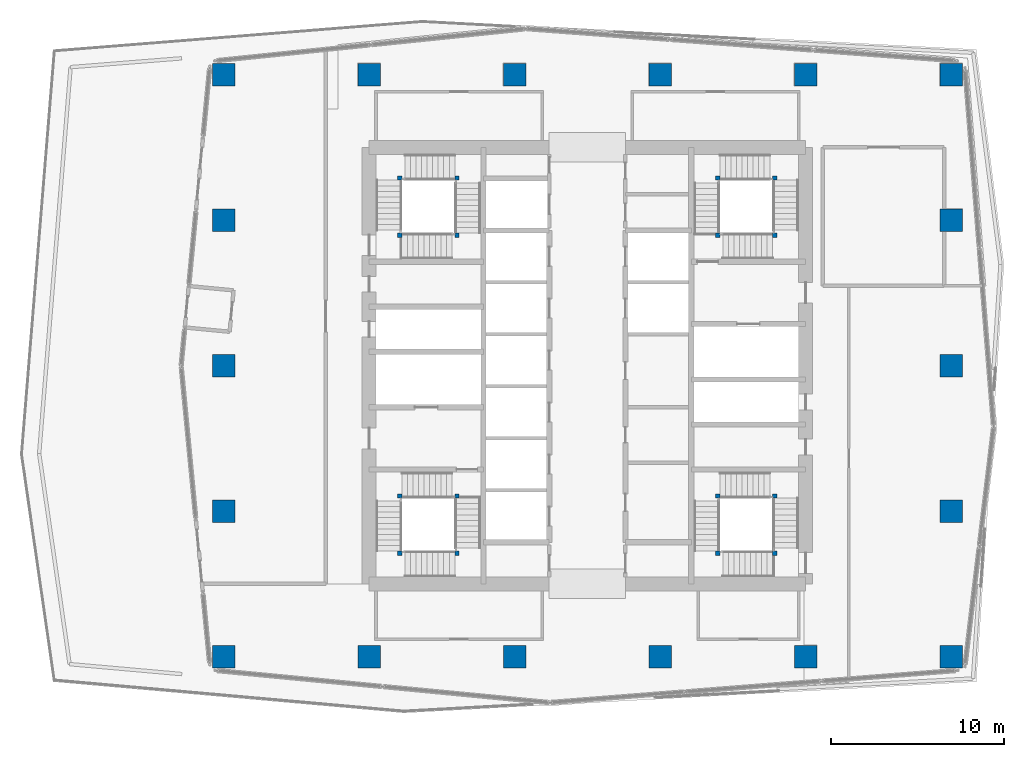
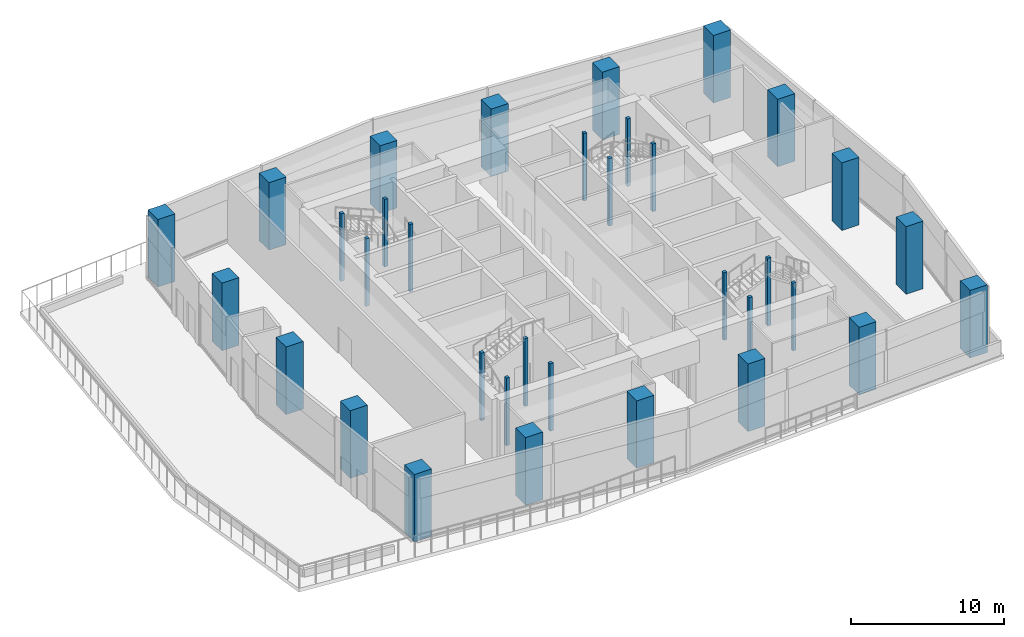
# One storey, part 1 of 22: 34 columns.
"""IFC4 building model written with IfcOpenShell, lengths in metres."""

from ifc_helpers import new_model, si_unit, direction, frame, origin, origin_2d, place, context, subcontext, project, spatial, rectangle, extrude, material, material_profile, profile_set, type_object, element, save


model = new_model("IFC4")

# Units and contexts
model_context = context("Model", 3, precision=1e-05, world=origin(), true_north=direction((0.0, 1.0)))
body_context = subcontext(model_context, "Body", "Model", "MODEL_VIEW")
ifc_project = project(units=[si_unit("LENGTHUNIT", "METRE"), si_unit("AREAUNIT", "SQUARE_METRE"), si_unit("VOLUMEUNIT", "CUBIC_METRE"), si_unit("PLANEANGLEUNIT", "RADIAN"), si_unit("MASSUNIT", "GRAM", prefix="KILO")], contexts=[model_context])

# Site, building, storey
site_placement = place(None, origin())
site = spatial("IfcSite", under=ifc_project, at=site_placement, CompositionType="ELEMENT")
building_placement = place(site_placement, origin())
building = spatial("IfcBuilding", under=site, at=building_placement, Name="Rekha Terrace Tower", CompositionType="ELEMENT")
storey_placement = place(building_placement, frame((0.0, 0.0, 291.35009765625)))
storey = spatial("IfcBuildingStorey", under=building, at=storey_placement, Name="L74", CompositionType="ELEMENT", Elevation=291.35009765625)

# Columns
ifc_material_1 = material(Name="Concrete M70", Category="concrete")
ifc_material_profile_1 = material_profile(ifc_material_1, rectangle(XDim=1.300048828125, YDim=1.300048828125, at=origin_2d()), Name="RC 1300x1300")
ifc_profile_set_1 = profile_set([ifc_material_profile_1], Name="Concrete M70")
column_type_1 = type_object("IfcColumnType", Name="C5C 1300x1300 column", PredefinedType="COLUMN", material=ifc_profile_set_1)
for number, where, z_axis, x_axis, name in (
    (1, (16.800048828125, 16.800048828125, 0.0), (0.0, 0.0, 1.0), (1.0, 0.0, 0.0), "Column C5C 3/C L74"),
    (2, (16.800048828125, 25.199951171875, 0.0), (0.0, 0.0, 1.0), (1.0, 0.0, 0.0), "Column C5C 3/D L74"),
    (3, (16.800048828125, 33.60009765625, 0.0), (0.0, 0.0, 1.0), (1.0, 0.0, 0.0), "Column C5C 3/E L74"),
    (4, (16.800048828125, 42.0, 0.0), (0.0, 0.0, 1.0), (1.0, 0.0, 0.0), "Column C5C 3/F L74"),
    (5, (16.800048828125, 50.39990234375, 0.0), (0.0, 0.0, 1.0), (1.0, 0.0, 0.0), "Column C5C 3/G L74"),
    (6, (25.199951171875, 16.800048828125, 0.0), (0.0, 0.0, 1.0), (1.0, 0.0, 0.0), "Column C5C 4/C L74"),
    (7, (25.199951171875, 50.39990234375, 0.0), (0.0, 0.0, 1.0), (1.0, 0.0, 0.0), "Column C5C 4/G L74"),
    (8, (33.60009765625, 16.800048828125, 0.0), (0.0, 0.0, 1.0), (1.0, 0.0, 0.0), "Column C5C 5/C L74"),
    (9, (33.60009765625, 50.39990234375, 0.0), (0.0, 0.0, 1.0), (1.0, 0.0, 0.0), "Column C5C 5/G L74"),
    (10, (42.0, 16.800048828125, 0.0), (0.0, 0.0, 1.0), (1.0, 0.0, 0.0), "Column C5C 6/C L74"),
    (11, (42.0, 50.39990234375, 0.0), (0.0, 0.0, 1.0), (1.0, 0.0, 0.0), "Column C5C 6/G L74"),
    (12, (50.39990234375, 16.800048828125, 0.0), (0.0, 0.0, 1.0), (1.0, 0.0, 0.0), "Column C5C 7/C L74"),
    (13, (50.39990234375, 50.39990234375, 0.0), (0.0, 0.0, 1.0), (1.0, 0.0, 0.0), "Column C5C 7/G L74"),
    (14, (58.800048828125, 16.800048828125, 0.0), (0.0, 0.0, 1.0), (1.0, 0.0, 0.0), "Column C5C 8/C L74"),
    (15, (58.800048828125, 25.199951171875, 0.0), (0.0, 0.0, 1.0), (1.0, 0.0, 0.0), "Column C5C 8/D L74"),
    (16, (58.800048828125, 33.60009765625, 0.0), (0.0, 0.0, 1.0), (1.0, 0.0, 0.0), "Column C5C 8/E L74"),
    (17, (58.800048828125, 42.0, 0.0), (0.0, 0.0, 1.0), (1.0, 0.0, 0.0), "Column C5C 8/F L74"),
    (18, (58.800048828125, 50.39990234375, 0.0), (0.0, 0.0, 1.0), (1.0, 0.0, 0.0), "Column C5C 8/G L74"),
):
    element("IfcColumn", number, at=place(storey_placement, frame(where, z_axis=z_axis, x_axis=x_axis)), inside=storey, type_object=column_type_1, Name=name, PredefinedType="COLUMN", context=body_context, shape_type="SweptSolid", body=[
        extrude(rectangle(XDim=1.300048828125, YDim=1.300048828125, at=origin_2d()), origin(), (0.0, 0.0, 1.0), 5.39990234375),
    ])
ifc_material_2 = material(Name="Concrete M60", Category="concrete")
ifc_material_profile_2 = material_profile(ifc_material_2, rectangle(XDim=0.25, YDim=0.25, at=origin_2d()), Name="RC 250x250")
ifc_profile_set_2 = profile_set([ifc_material_profile_2], Name="Concrete M60")
column_type_2 = type_object("IfcColumnType", Name="NP1 250x250 stair newel post", PredefinedType="COLUMN", material=ifc_profile_set_2)
for number, where, z_axis, x_axis, name in (
    (19, (30.27490234375, 26.074951171875, 0.0), (0.0, 0.0, 1.0), (1.0, 0.0, 0.0), "Stair newel post NP1"),
    (20, (30.27490234375, 22.77490234375, 0.0), (0.0, 0.0, 1.0), (1.0, 0.0, 0.0), "Stair newel post NP1"),
    (21, (26.97509765625, 22.77490234375, 0.0), (0.0, 0.0, 1.0), (1.0, 0.0, 0.0), "Stair newel post NP1"),
    (22, (26.97509765625, 26.074951171875, 0.0), (0.0, 0.0, 1.0), (1.0, 0.0, 0.0), "Stair newel post NP1"),
    (23, (45.324951171875, 41.125, 0.0), (0.0, 0.0, 1.0), (1.0, 0.0, 0.0), "Stair newel post NP1"),
    (24, (45.324951171875, 44.425048828125, 0.0), (0.0, 0.0, 1.0), (1.0, 0.0, 0.0), "Stair newel post NP1"),
    (25, (48.625, 44.425048828125, 0.0), (0.0, 0.0, 1.0), (1.0, 0.0, 0.0), "Stair newel post NP1"),
    (26, (48.625, 41.125, 0.0), (0.0, 0.0, 1.0), (1.0, 0.0, 0.0), "Stair newel post NP1"),
    (27, (48.625, 22.77490234375, 0.0), (0.0, 0.0, 1.0), (1.0, 0.0, 0.0), "Stair newel post NP1"),
    (28, (45.324951171875, 22.77490234375, 0.0), (0.0, 0.0, 1.0), (1.0, 0.0, 0.0), "Stair newel post NP1"),
    (29, (45.324951171875, 26.074951171875, 0.0), (0.0, 0.0, 1.0), (1.0, 0.0, 0.0), "Stair newel post NP1"),
    (30, (48.625, 26.074951171875, 0.0), (0.0, 0.0, 1.0), (1.0, 0.0, 0.0), "Stair newel post NP1"),
    (31, (26.97509765625, 41.125, 0.0), (0.0, 0.0, 1.0), (1.0, 0.0, 0.0), "Stair newel post NP1"),
    (32, (30.27490234375, 41.125, 0.0), (0.0, 0.0, 1.0), (1.0, 0.0, 0.0), "Stair newel post NP1"),
    (33, (30.27490234375, 44.425048828125, 0.0), (0.0, 0.0, 1.0), (1.0, 0.0, 0.0), "Stair newel post NP1"),
    (34, (26.97509765625, 44.425048828125, 0.0), (0.0, 0.0, 1.0), (1.0, 0.0, 0.0), "Stair newel post NP1"),
):
    element("IfcColumn", number, at=place(storey_placement, frame(where, z_axis=z_axis, x_axis=x_axis)), inside=storey, type_object=column_type_2, Name=name, PredefinedType="COLUMN", context=body_context, shape_type="SweptSolid", body=[
        extrude(rectangle(XDim=0.25, YDim=0.25, at=origin_2d()), origin(), (0.0, 0.0, 1.0), 5.39990234375),
    ])

save(model, "model.ifc")
